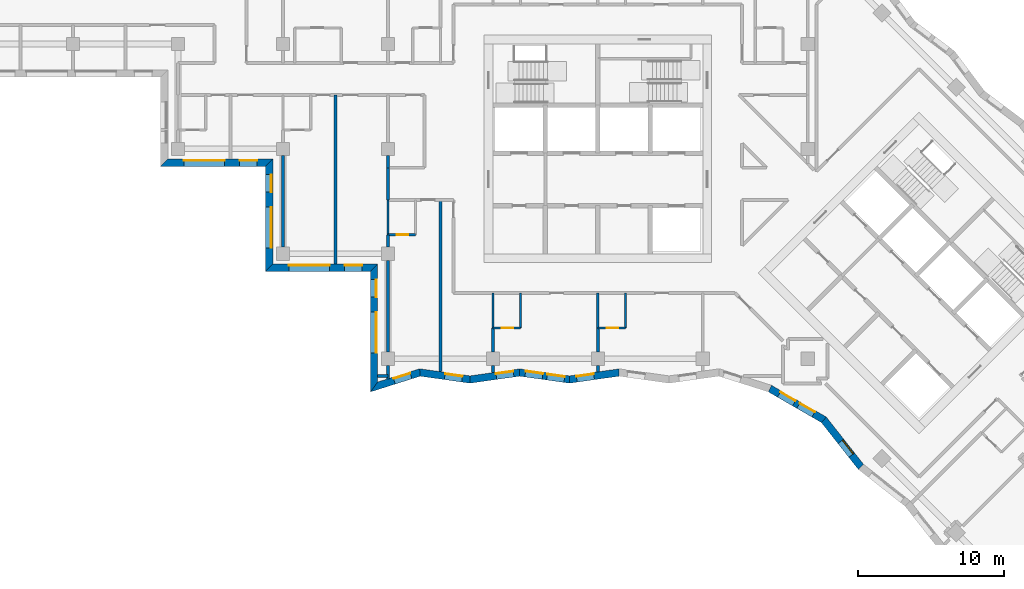
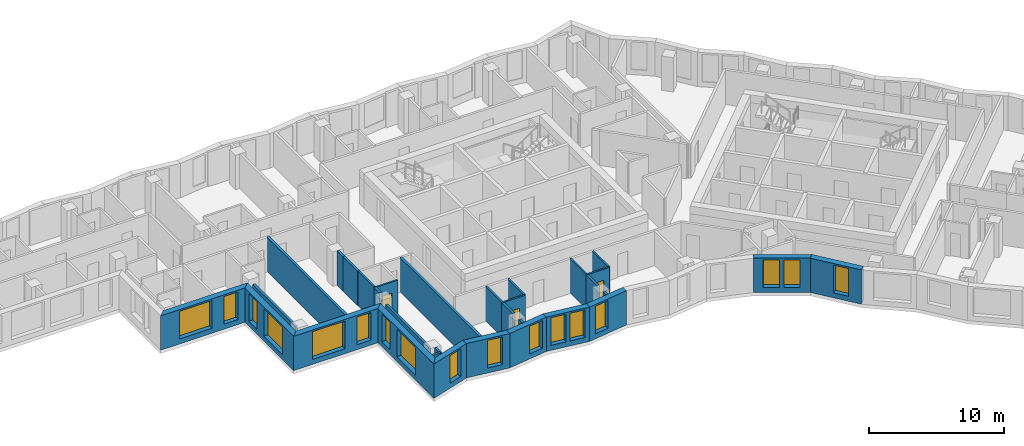
# One storey, part 2 of 12: 32 walls, 17 windows, 3 doors, 20 openings.
"""IFC4 building model written with IfcOpenShell, lengths in metres."""

from ifc_helpers import new_model, si_unit, direction, frame, frame_2d, origin, place, context, subcontext, project, spatial, polyline, rectangle, outline, extrude, material, layer, layer_set, type_object, element, fill, save


model = new_model("IFC4")

# Units and contexts
model_context = context("Model", 3, precision=1e-05, world=origin(), true_north=direction((0.0, 1.0)))
body_context = subcontext(model_context, "Body", "Model", "MODEL_VIEW")
ifc_project = project(units=[si_unit("LENGTHUNIT", "METRE"), si_unit("AREAUNIT", "SQUARE_METRE"), si_unit("VOLUMEUNIT", "CUBIC_METRE"), si_unit("PLANEANGLEUNIT", "RADIAN"), si_unit("MASSUNIT", "GRAM", prefix="KILO")], contexts=[model_context])

# Site, building, storey
site_placement = place(None, origin())
site = spatial("IfcSite", under=ifc_project, at=site_placement, CompositionType="ELEMENT")
building_placement = place(site_placement, origin())
building = spatial("IfcBuilding", under=site, at=building_placement, Name="Windrow Commons", CompositionType="ELEMENT")
storey_placement = place(building_placement, frame((0.0, 0.0, 155.8)))
storey = spatial("IfcBuildingStorey", under=building, at=storey_placement, Name="L42", CompositionType="ELEMENT", Elevation=155.8)

# Wall, openings, windows
ifc_material_1 = material(Name="Brick masonry, red clay brick", Category="masonry")
ifc_layer_1 = layer(ifc_material_1, 0.5)
ifc_layer_set_1 = layer_set([ifc_layer_1], Name="Brick facade wall 500")
wall_type_1 = type_object("IfcWallType", Name="Brick facade wall 500", PredefinedType="SOLIDWALL", material=ifc_layer_set_1)
wall_1_placement = place(storey_placement, frame((35.05, 56.65, 0.0), z_axis=(0.0, 0.0, 1.0), x_axis=(1.0, 0.0, 0.0)))
wall_1 = element("IfcWall", 1, at=wall_1_placement, inside=storey, type_object=wall_type_1, Name="Brick facade wall L42 38", PredefinedType="SOLIDWALL", context=body_context, shape_type="SweptSolid", body=[
    extrude(outline(polyline([(-0.25, -0.25), (6.95, -0.25), (7.45, 0.25), (0.25, 0.25), (-0.25, -0.25)])), origin(), (0.0, 0.0, 1.0), 3.1),
])
opening_1_placement = place(wall_1_placement, frame((1.35, 0.0, 0.45)))
opening_1 = element("IfcOpeningElement", 2, at=opening_1_placement, cuts=wall_1, Name="Opening W1U", PredefinedType="OPENING", context=body_context, shape_type="SweptSolid", body=[
    extrude(rectangle(XDim=2.8, YDim=2.5, at=frame_2d((1.4, 1.25))), frame((0.0, 0.26, 0.0), z_axis=(0.0, -1.0, 0.0), x_axis=(1.0, 0.0, 0.0)), (0.0, 0.0, 1.0), 0.52),
])
opening_2_placement = place(wall_1_placement, frame((5.175, 0.0, 0.45)))
opening_2 = element("IfcOpeningElement", 3, at=opening_2_placement, cuts=wall_1, Name="Opening W7E", PredefinedType="OPENING", context=body_context, shape_type="SweptSolid", body=[
    extrude(rectangle(XDim=1.2, YDim=2.5, at=frame_2d((0.6, 1.25))), frame((0.0, 0.26, 0.0), z_axis=(0.0, -1.0, 0.0), x_axis=(1.0, 0.0, 0.0)), (0.0, 0.0, 1.0), 0.52),
])
ifc_material_2 = material(Name="Clear float glass in anodised aluminium frame", Category="aluminium")
window_type_1 = type_object("IfcWindowType", Name="Window W1U bedroom 2800x2500", PartitioningType="SINGLE_PANEL", PredefinedType="WINDOW", material=ifc_material_2)
window_1_placement = place(opening_1_placement, origin())
window_1 = element("IfcWindow", 4, at=window_1_placement, inside=storey, type_object=window_type_1, Name="Window L42 38.1", OverallHeight=2.5, OverallWidth=2.8, PartitioningType="SINGLE_PANEL", PredefinedType="WINDOW", context=body_context, shape_type="SweptSolid", body=[
    extrude(rectangle(XDim=2.8, YDim=2.5, at=frame_2d((1.4, 1.25))), frame((0.0, 0.18, 0.0), z_axis=(0.0, -1.0, 0.0), x_axis=(1.0, 0.0, 0.0)), (0.0, 0.0, 1.0), 0.06),
])
fill(opening_1, window_1)
ifc_material_3 = material(Name="Clear float glass in anodised aluminium frame", Category="aluminium")
window_type_2 = type_object("IfcWindowType", Name="Window W7 notch 1200x2500", PartitioningType="SINGLE_PANEL", PredefinedType="WINDOW", material=ifc_material_3)
window_2_placement = place(opening_2_placement, origin())
window_2 = element("IfcWindow", 5, at=window_2_placement, inside=storey, type_object=window_type_2, Name="Window L42 38.2", OverallHeight=2.5, OverallWidth=1.2, PartitioningType="SINGLE_PANEL", PredefinedType="WINDOW", context=body_context, shape_type="SweptSolid", body=[
    extrude(rectangle(XDim=1.2, YDim=2.5, at=frame_2d((0.6, 1.25))), frame((0.0, 0.18, 0.0), z_axis=(0.0, -1.0, 0.0), x_axis=(1.0, 0.0, 0.0)), (0.0, 0.0, 1.0), 0.06),
])
fill(opening_2, window_2)

wall_2_placement = place(storey_placement, frame((42.25, 56.65, 0.0), z_axis=(0.0, 0.0, 1.0), x_axis=(0.0, -1.0, 0.0)))
wall_2 = element("IfcWall", 6, at=wall_2_placement, inside=storey, type_object=wall_type_1, Name="Brick facade wall L42 39", PredefinedType="SOLIDWALL", context=body_context, shape_type="SweptSolid", body=[
    extrude(outline(polyline([(0.25, -0.25), (7.45, -0.25), (6.95, 0.25), (-0.25, 0.25), (0.25, -0.25)])), origin(), (0.0, 0.0, 1.0), 3.1),
])
opening_3_placement = place(wall_2_placement, frame((3.05, 0.0, 0.45)))
opening_3 = element("IfcOpeningElement", 7, at=opening_3_placement, cuts=wall_2, Name="Opening W1U", PredefinedType="OPENING", context=body_context, shape_type="SweptSolid", body=[
    extrude(rectangle(XDim=2.8, YDim=2.5, at=frame_2d((1.4, 1.25))), frame((0.0, 0.26, 0.0), z_axis=(0.0, -1.0, 0.0), x_axis=(1.0, 0.0, 0.0)), (0.0, 0.0, 1.0), 0.52),
])
opening_4_placement = place(wall_2_placement, frame((0.825, 0.0, 0.45)))
opening_4 = element("IfcOpeningElement", 8, at=opening_4_placement, cuts=wall_2, Name="Opening W7E", PredefinedType="OPENING", context=body_context, shape_type="SweptSolid", body=[
    extrude(rectangle(XDim=1.2, YDim=2.5, at=frame_2d((0.6, 1.25))), frame((0.0, 0.26, 0.0), z_axis=(0.0, -1.0, 0.0), x_axis=(1.0, 0.0, 0.0)), (0.0, 0.0, 1.0), 0.52),
])
window_3_placement = place(opening_3_placement, origin())
window_3 = element("IfcWindow", 9, at=window_3_placement, inside=storey, type_object=window_type_1, Name="Window L42 39.1", OverallHeight=2.5, OverallWidth=2.8, PartitioningType="SINGLE_PANEL", PredefinedType="WINDOW", context=body_context, shape_type="SweptSolid", body=[
    extrude(rectangle(XDim=2.8, YDim=2.5, at=frame_2d((1.4, 1.25))), frame((0.0, 0.18, 0.0), z_axis=(0.0, -1.0, 0.0), x_axis=(1.0, 0.0, 0.0)), (0.0, 0.0, 1.0), 0.06),
])
fill(opening_3, window_3)
window_4_placement = place(opening_4_placement, origin())
window_4 = element("IfcWindow", 10, at=window_4_placement, inside=storey, type_object=window_type_2, Name="Window L42 39.2", OverallHeight=2.5, OverallWidth=1.2, PartitioningType="SINGLE_PANEL", PredefinedType="WINDOW", context=body_context, shape_type="SweptSolid", body=[
    extrude(rectangle(XDim=1.2, YDim=2.5, at=frame_2d((0.6, 1.25))), frame((0.0, 0.18, 0.0), z_axis=(0.0, -1.0, 0.0), x_axis=(1.0, 0.0, 0.0)), (0.0, 0.0, 1.0), 0.06),
])
fill(opening_4, window_4)

wall_3_placement = place(storey_placement, frame((42.25, 49.45, 0.0), z_axis=(0.0, 0.0, 1.0), x_axis=(1.0, 0.0, 0.0)))
wall_3 = element("IfcWall", 11, at=wall_3_placement, inside=storey, type_object=wall_type_1, Name="Brick facade wall L42 40", PredefinedType="SOLIDWALL", context=body_context, shape_type="SweptSolid", body=[
    extrude(outline(polyline([(-0.25, -0.25), (6.95, -0.25), (7.45, 0.25), (0.25, 0.25), (-0.25, -0.25)])), origin(), (0.0, 0.0, 1.0), 3.1),
])
opening_5_placement = place(wall_3_placement, frame((1.35, 0.0, 0.45)))
opening_5 = element("IfcOpeningElement", 12, at=opening_5_placement, cuts=wall_3, Name="Opening W1U", PredefinedType="OPENING", context=body_context, shape_type="SweptSolid", body=[
    extrude(rectangle(XDim=2.8, YDim=2.5, at=frame_2d((1.4, 1.25))), frame((0.0, 0.26, 0.0), z_axis=(0.0, -1.0, 0.0), x_axis=(1.0, 0.0, 0.0)), (0.0, 0.0, 1.0), 0.52),
])
opening_6_placement = place(wall_3_placement, frame((5.175, 0.0, 0.45)))
opening_6 = element("IfcOpeningElement", 13, at=opening_6_placement, cuts=wall_3, Name="Opening W7E", PredefinedType="OPENING", context=body_context, shape_type="SweptSolid", body=[
    extrude(rectangle(XDim=1.2, YDim=2.5, at=frame_2d((0.6, 1.25))), frame((0.0, 0.26, 0.0), z_axis=(0.0, -1.0, 0.0), x_axis=(1.0, 0.0, 0.0)), (0.0, 0.0, 1.0), 0.52),
])
window_5_placement = place(opening_5_placement, origin())
window_5 = element("IfcWindow", 14, at=window_5_placement, inside=storey, type_object=window_type_1, Name="Window L42 40.1", OverallHeight=2.5, OverallWidth=2.8, PartitioningType="SINGLE_PANEL", PredefinedType="WINDOW", context=body_context, shape_type="SweptSolid", body=[
    extrude(rectangle(XDim=2.8, YDim=2.5, at=frame_2d((1.4, 1.25))), frame((0.0, 0.18, 0.0), z_axis=(0.0, -1.0, 0.0), x_axis=(1.0, 0.0, 0.0)), (0.0, 0.0, 1.0), 0.06),
])
fill(opening_5, window_5)
window_6_placement = place(opening_6_placement, origin())
window_6 = element("IfcWindow", 15, at=window_6_placement, inside=storey, type_object=window_type_2, Name="Window L42 40.2", OverallHeight=2.5, OverallWidth=1.2, PartitioningType="SINGLE_PANEL", PredefinedType="WINDOW", context=body_context, shape_type="SweptSolid", body=[
    extrude(rectangle(XDim=1.2, YDim=2.5, at=frame_2d((0.6, 1.25))), frame((0.0, 0.18, 0.0), z_axis=(0.0, -1.0, 0.0), x_axis=(1.0, 0.0, 0.0)), (0.0, 0.0, 1.0), 0.06),
])
fill(opening_6, window_6)

wall_4_placement = place(storey_placement, frame((49.45, 49.45, 0.0), z_axis=(0.0, 0.0, 1.0), x_axis=(0.0, -1.0, 0.0)))
wall_4 = element("IfcWall", 16, at=wall_4_placement, inside=storey, type_object=wall_type_1, Name="Brick facade wall L42 41", PredefinedType="SOLIDWALL", context=body_context, shape_type="SweptSolid", body=[
    extrude(outline(polyline([(0.25, -0.25), (8.532, -0.25), (7.849, 0.25), (-0.25, 0.25), (0.25, -0.25)])), origin(), (0.0, 0.0, 1.0), 3.1),
])
opening_7_placement = place(wall_4_placement, frame((3.05, 0.0, 0.45)))
opening_7 = element("IfcOpeningElement", 17, at=opening_7_placement, cuts=wall_4, Name="Opening W1U", PredefinedType="OPENING", context=body_context, shape_type="SweptSolid", body=[
    extrude(rectangle(XDim=2.8, YDim=2.5, at=frame_2d((1.4, 1.25))), frame((0.0, 0.26, 0.0), z_axis=(0.0, -1.0, 0.0), x_axis=(1.0, 0.0, 0.0)), (0.0, 0.0, 1.0), 0.52),
])
opening_8_placement = place(wall_4_placement, frame((0.825, 0.0, 0.45)))
opening_8 = element("IfcOpeningElement", 18, at=opening_8_placement, cuts=wall_4, Name="Opening W7E", PredefinedType="OPENING", context=body_context, shape_type="SweptSolid", body=[
    extrude(rectangle(XDim=1.2, YDim=2.5, at=frame_2d((0.6, 1.25))), frame((0.0, 0.26, 0.0), z_axis=(0.0, -1.0, 0.0), x_axis=(1.0, 0.0, 0.0)), (0.0, 0.0, 1.0), 0.52),
])
window_7_placement = place(opening_7_placement, origin())
window_7 = element("IfcWindow", 19, at=window_7_placement, inside=storey, type_object=window_type_1, Name="Window L42 41.1", OverallHeight=2.5, OverallWidth=2.8, PartitioningType="SINGLE_PANEL", PredefinedType="WINDOW", context=body_context, shape_type="SweptSolid", body=[
    extrude(rectangle(XDim=2.8, YDim=2.5, at=frame_2d((1.4, 1.25))), frame((0.0, 0.18, 0.0), z_axis=(0.0, -1.0, 0.0), x_axis=(1.0, 0.0, 0.0)), (0.0, 0.0, 1.0), 0.06),
])
fill(opening_7, window_7)
window_8_placement = place(opening_8_placement, origin())
window_8 = element("IfcWindow", 20, at=window_8_placement, inside=storey, type_object=window_type_2, Name="Window L42 41.2", OverallHeight=2.5, OverallWidth=1.2, PartitioningType="SINGLE_PANEL", PredefinedType="WINDOW", context=body_context, shape_type="SweptSolid", body=[
    extrude(rectangle(XDim=1.2, YDim=2.5, at=frame_2d((0.6, 1.25))), frame((0.0, 0.18, 0.0), z_axis=(0.0, -1.0, 0.0), x_axis=(1.0, 0.0, 0.0)), (0.0, 0.0, 1.0), 0.06),
])
fill(opening_8, window_8)

# Wall, opening, window
wall_5_placement = place(storey_placement, frame((49.45, 41.2595, 0.0), z_axis=(0.0, 0.0, 1.0), x_axis=(0.9532547248, 0.3021678832, 0.0)))
wall_5 = element("IfcWall", 21, at=wall_5_placement, inside=storey, type_object=wall_type_1, Name="Brick facade wall L42 42", PredefinedType="SOLIDWALL", context=body_context, shape_type="SweptSolid", body=[
    extrude(outline(polyline([(-0.3415, -0.25), (3.2393, -0.25), (3.3531, 0.25), (0.3415, 0.25), (-0.3415, -0.25)])), origin(), (0.0, 0.0, 1.0), 3.1),
])
opening_9_placement = place(wall_5_placement, frame((1.4464, 0.0, 0.45)))
opening_9 = element("IfcOpeningElement", 22, at=opening_9_placement, cuts=wall_5, Name="Opening W7E", PredefinedType="OPENING", context=body_context, shape_type="SweptSolid", body=[
    extrude(rectangle(XDim=1.2, YDim=2.5, at=frame_2d((0.6, 1.25))), frame((0.0, 0.26, 0.0), z_axis=(0.0, -1.0, 0.0), x_axis=(1.0, 0.0, 0.0)), (0.0, 0.0, 1.0), 0.52),
])
window_9_placement = place(opening_9_placement, origin())
window_9 = element("IfcWindow", 23, at=window_9_placement, inside=storey, type_object=window_type_2, Name="Window L42 42.1", OverallHeight=2.5, OverallWidth=1.2, PartitioningType="SINGLE_PANEL", PredefinedType="WINDOW", context=body_context, shape_type="SweptSolid", body=[
    extrude(rectangle(XDim=1.2, YDim=2.5, at=frame_2d((0.6, 1.25))), frame((0.0, 0.18, 0.0), z_axis=(0.0, -1.0, 0.0), x_axis=(1.0, 0.0, 0.0)), (0.0, 0.0, 1.0), 0.06),
])
fill(opening_9, window_9)

wall_6_placement = place(storey_placement, frame((52.5921, 42.2555, 0.0), z_axis=(0.0, 0.0, 1.0), x_axis=(0.9901776599, -0.1398148844, 0.0)))
wall_6 = element("IfcWall", 24, at=wall_6_placement, inside=storey, type_object=wall_type_1, Name="Brick facade wall L42 43", PredefinedType="SOLIDWALL", context=body_context, shape_type="SweptSolid", body=[
    extrude(outline(polyline([(0.0569, -0.25), (3.5042, -0.25), (3.4336, 0.25), (-0.0569, 0.25), (0.0569, -0.25)])), origin(), (0.0, 0.0, 1.0), 3.1),
])
opening_10_placement = place(wall_6_placement, frame((1.7277, 0.0, 0.45)))
opening_10 = element("IfcOpeningElement", 25, at=opening_10_placement, cuts=wall_6, Name="Opening W7E", PredefinedType="OPENING", context=body_context, shape_type="SweptSolid", body=[
    extrude(rectangle(XDim=1.2, YDim=2.5, at=frame_2d((0.6, 1.25))), frame((0.0, 0.26, 0.0), z_axis=(0.0, -1.0, 0.0), x_axis=(1.0, 0.0, 0.0)), (0.0, 0.0, 1.0), 0.52),
])
window_10_placement = place(opening_10_placement, origin())
window_10 = element("IfcWindow", 26, at=window_10_placement, inside=storey, type_object=window_type_2, Name="Window L42 43.1", OverallHeight=2.5, OverallWidth=1.2, PartitioningType="SINGLE_PANEL", PredefinedType="WINDOW", context=body_context, shape_type="SweptSolid", body=[
    extrude(rectangle(XDim=1.2, YDim=2.5, at=frame_2d((0.6, 1.25))), frame((0.0, 0.18, 0.0), z_axis=(0.0, -1.0, 0.0), x_axis=(1.0, 0.0, 0.0)), (0.0, 0.0, 1.0), 0.06),
])
fill(opening_10, window_10)

wall_7_placement = place(storey_placement, frame((56.0269, 41.7705, 0.0), z_axis=(0.0, 0.0, 1.0), x_axis=(0.9901773547, 0.1398170455, 0.0)))
wall_7 = element("IfcWall", 27, at=wall_7_placement, inside=storey, type_object=wall_type_1, Name="Brick facade wall L42 44", PredefinedType="SOLIDWALL", context=body_context, shape_type="SweptSolid", body=[
    extrude(outline(polyline([(-0.0353, -0.25), (3.412, -0.25), (3.4826, 0.25), (0.0353, 0.25), (-0.0353, -0.25)])), origin(), (0.0, 0.0, 1.0), 3.1),
])
opening_11_placement = place(wall_7_placement, frame((1.818, 0.0, 0.45)))
opening_11 = element("IfcOpeningElement", 28, at=opening_11_placement, cuts=wall_7, Name="Opening W7E", PredefinedType="OPENING", context=body_context, shape_type="SweptSolid", body=[
    extrude(rectangle(XDim=1.2, YDim=2.5, at=frame_2d((0.6, 1.25))), frame((0.0, 0.26, 0.0), z_axis=(0.0, -1.0, 0.0), x_axis=(1.0, 0.0, 0.0)), (0.0, 0.0, 1.0), 0.52),
])
window_11_placement = place(opening_11_placement, origin())
window_11 = element("IfcWindow", 29, at=window_11_placement, inside=storey, type_object=window_type_2, Name="Window L42 44.1", OverallHeight=2.5, OverallWidth=1.2, PartitioningType="SINGLE_PANEL", PredefinedType="WINDOW", context=body_context, shape_type="SweptSolid", body=[
    extrude(rectangle(XDim=1.2, YDim=2.5, at=frame_2d((0.6, 1.25))), frame((0.0, 0.18, 0.0), z_axis=(0.0, -1.0, 0.0), x_axis=(1.0, 0.0, 0.0)), (0.0, 0.0, 1.0), 0.06),
])
fill(opening_11, window_11)

# Wall, openings, windows
wall_8_placement = place(storey_placement, frame((59.4404, 42.2525, 0.0), z_axis=(0.0, 0.0, 1.0), x_axis=(0.9901773547, -0.1398170455, 0.0)))
wall_8 = element("IfcWall", 30, at=wall_8_placement, inside=storey, type_object=wall_type_1, Name="Brick facade wall L42 45", PredefinedType="SOLIDWALL", context=body_context, shape_type="SweptSolid", body=[
    extrude(outline(polyline([(0.0353, -0.25), (3.4826, -0.25), (3.412, 0.25), (-0.0353, 0.25), (0.0353, -0.25)])), origin(), (0.0, 0.0, 1.0), 3.1),
])
opening_12_placement = place(wall_8_placement, frame((0.3885, 0.0, 0.45)))
opening_12 = element("IfcOpeningElement", 31, at=opening_12_placement, cuts=wall_8, Name="Opening W7E", PredefinedType="OPENING", context=body_context, shape_type="SweptSolid", body=[
    extrude(rectangle(XDim=1.2, YDim=2.5, at=frame_2d((0.6, 1.25))), frame((0.0, 0.26, 0.0), z_axis=(0.0, -1.0, 0.0), x_axis=(1.0, 0.0, 0.0)), (0.0, 0.0, 1.0), 0.52),
])
opening_13_placement = place(wall_8_placement, frame((1.8945, 0.0, 0.45)))
opening_13 = element("IfcOpeningElement", 32, at=opening_13_placement, cuts=wall_8, Name="Opening W7E", PredefinedType="OPENING", context=body_context, shape_type="SweptSolid", body=[
    extrude(rectangle(XDim=1.2, YDim=2.5, at=frame_2d((0.6, 1.25))), frame((0.0, 0.26, 0.0), z_axis=(0.0, -1.0, 0.0), x_axis=(1.0, 0.0, 0.0)), (0.0, 0.0, 1.0), 0.52),
])
window_12_placement = place(opening_12_placement, origin())
window_12 = element("IfcWindow", 33, at=window_12_placement, inside=storey, type_object=window_type_2, Name="Window L42 45.1", OverallHeight=2.5, OverallWidth=1.2, PartitioningType="SINGLE_PANEL", PredefinedType="WINDOW", context=body_context, shape_type="SweptSolid", body=[
    extrude(rectangle(XDim=1.2, YDim=2.5, at=frame_2d((0.6, 1.25))), frame((0.0, 0.18, 0.0), z_axis=(0.0, -1.0, 0.0), x_axis=(1.0, 0.0, 0.0)), (0.0, 0.0, 1.0), 0.06),
])
fill(opening_12, window_12)
window_13_placement = place(opening_13_placement, origin())
window_13 = element("IfcWindow", 34, at=window_13_placement, inside=storey, type_object=window_type_2, Name="Window L42 45.2", OverallHeight=2.5, OverallWidth=1.2, PartitioningType="SINGLE_PANEL", PredefinedType="WINDOW", context=body_context, shape_type="SweptSolid", body=[
    extrude(rectangle(XDim=1.2, YDim=2.5, at=frame_2d((0.6, 1.25))), frame((0.0, 0.18, 0.0), z_axis=(0.0, -1.0, 0.0), x_axis=(1.0, 0.0, 0.0)), (0.0, 0.0, 1.0), 0.06),
])
fill(opening_13, window_13)

# Wall, opening, window
wall_9_placement = place(storey_placement, frame((62.8539, 41.7705, 0.0), z_axis=(0.0, 0.0, 1.0), x_axis=(0.9901767876, 0.1398210616, 0.0)))
wall_9 = element("IfcWall", 35, at=wall_9_placement, inside=storey, type_object=wall_type_1, Name="Brick facade wall L42 46", PredefinedType="SOLIDWALL", context=body_context, shape_type="SweptSolid", body=[
    extrude(outline(polyline([(-0.0353, -0.25), (3.412, -0.25), (3.4826, 0.25), (0.0353, 0.25), (-0.0353, -0.25)])), origin(), (0.0, 0.0, 1.0), 3.1),
])
opening_14_placement = place(wall_9_placement, frame((0.5004, 0.0, 0.45)))
opening_14 = element("IfcOpeningElement", 36, at=opening_14_placement, cuts=wall_9, Name="Opening W7E", PredefinedType="OPENING", context=body_context, shape_type="SweptSolid", body=[
    extrude(rectangle(XDim=1.2, YDim=2.5, at=frame_2d((0.6, 1.25))), frame((0.0, 0.26, 0.0), z_axis=(0.0, -1.0, 0.0), x_axis=(1.0, 0.0, 0.0)), (0.0, 0.0, 1.0), 0.52),
])
window_14_placement = place(opening_14_placement, origin())
window_14 = element("IfcWindow", 37, at=window_14_placement, inside=storey, type_object=window_type_2, Name="Window L42 46.1", OverallHeight=2.5, OverallWidth=1.2, PartitioningType="SINGLE_PANEL", PredefinedType="WINDOW", context=body_context, shape_type="SweptSolid", body=[
    extrude(rectangle(XDim=1.2, YDim=2.5, at=frame_2d((0.6, 1.25))), frame((0.0, 0.18, 0.0), z_axis=(0.0, -1.0, 0.0), x_axis=(1.0, 0.0, 0.0)), (0.0, 0.0, 1.0), 0.06),
])
fill(opening_14, window_14)

# Wall, openings, windows
wall_10_placement = place(storey_placement, frame((76.6093, 41.1481, 0.0), z_axis=(0.0, 0.0, 1.0), x_axis=(0.8655245779, -0.5008664544, 0.0)))
wall_10 = element("IfcWall", 38, at=wall_10_placement, inside=storey, type_object=wall_type_1, Name="Brick facade wall L42 50", PredefinedType="SOLIDWALL", context=body_context, shape_type="SweptSolid", body=[
    extrude(outline(polyline([(0.0273, -0.25), (4.2235, -0.25), (4.3194, 0.25), (-0.0273, 0.25), (0.0273, -0.25)])), origin(), (0.0, 0.0, 1.0), 3.1),
])
opening_15_placement = place(wall_10_placement, frame((0.7364, 0.0, 0.45)))
opening_15 = element("IfcOpeningElement", 39, at=opening_15_placement, cuts=wall_10, Name="Opening W7E", PredefinedType="OPENING", context=body_context, shape_type="SweptSolid", body=[
    extrude(rectangle(XDim=1.2, YDim=2.5, at=frame_2d((0.6, 1.25))), frame((0.0, 0.26, 0.0), z_axis=(0.0, -1.0, 0.0), x_axis=(1.0, 0.0, 0.0)), (0.0, 0.0, 1.0), 0.52),
])
opening_16_placement = place(wall_10_placement, frame((2.2721, 0.0, 0.45)))
opening_16 = element("IfcOpeningElement", 40, at=opening_16_placement, cuts=wall_10, Name="Opening W7E", PredefinedType="OPENING", context=body_context, shape_type="SweptSolid", body=[
    extrude(rectangle(XDim=1.2, YDim=2.5, at=frame_2d((0.6, 1.25))), frame((0.0, 0.26, 0.0), z_axis=(0.0, -1.0, 0.0), x_axis=(1.0, 0.0, 0.0)), (0.0, 0.0, 1.0), 0.52),
])
window_15_placement = place(opening_15_placement, origin())
window_15 = element("IfcWindow", 41, at=window_15_placement, inside=storey, type_object=window_type_2, Name="Window L42 50.1", OverallHeight=2.5, OverallWidth=1.2, PartitioningType="SINGLE_PANEL", PredefinedType="WINDOW", context=body_context, shape_type="SweptSolid", body=[
    extrude(rectangle(XDim=1.2, YDim=2.5, at=frame_2d((0.6, 1.25))), frame((0.0, 0.18, 0.0), z_axis=(0.0, -1.0, 0.0), x_axis=(1.0, 0.0, 0.0)), (0.0, 0.0, 1.0), 0.06),
])
fill(opening_15, window_15)
window_16_placement = place(opening_16_placement, origin())
window_16 = element("IfcWindow", 42, at=window_16_placement, inside=storey, type_object=window_type_2, Name="Window L42 50.2", OverallHeight=2.5, OverallWidth=1.2, PartitioningType="SINGLE_PANEL", PredefinedType="WINDOW", context=body_context, shape_type="SweptSolid", body=[
    extrude(rectangle(XDim=1.2, YDim=2.5, at=frame_2d((0.6, 1.25))), frame((0.0, 0.18, 0.0), z_axis=(0.0, -1.0, 0.0), x_axis=(1.0, 0.0, 0.0)), (0.0, 0.0, 1.0), 0.06),
])
fill(opening_16, window_16)

# Wall, opening, window
wall_11_placement = place(storey_placement, frame((80.3063, 39.0087, 0.0), z_axis=(0.0, 0.0, 1.0), x_axis=(0.6186848353, -0.7856392777, 0.0)))
wall_11 = element("IfcWall", 43, at=wall_11_placement, inside=storey, type_object=wall_type_1, Name="Brick facade wall L42 51", PredefinedType="SOLIDWALL", context=body_context, shape_type="SweptSolid", body=[
    extrude(outline(polyline([(0.048, -0.25), (4.1308, -0.25), (4.0713, 0.25), (-0.048, 0.25), (0.048, -0.25)])), origin(), (0.0, 0.0, 1.0), 3.1),
])
opening_17_placement = place(wall_11_placement, frame((1.8842, 0.0, 0.45)))
opening_17 = element("IfcOpeningElement", 44, at=opening_17_placement, cuts=wall_11, Name="Opening W7E", PredefinedType="OPENING", context=body_context, shape_type="SweptSolid", body=[
    extrude(rectangle(XDim=1.2, YDim=2.5, at=frame_2d((0.6, 1.25))), frame((0.0, 0.26, 0.0), z_axis=(0.0, -1.0, 0.0), x_axis=(1.0, 0.0, 0.0)), (0.0, 0.0, 1.0), 0.52),
])
window_17_placement = place(opening_17_placement, origin())
window_17 = element("IfcWindow", 45, at=window_17_placement, inside=storey, type_object=window_type_2, Name="Window L42 51.1", OverallHeight=2.5, OverallWidth=1.2, PartitioningType="SINGLE_PANEL", PredefinedType="WINDOW", context=body_context, shape_type="SweptSolid", body=[
    extrude(rectangle(XDim=1.2, YDim=2.5, at=frame_2d((0.6, 1.25))), frame((0.0, 0.18, 0.0), z_axis=(0.0, -1.0, 0.0), x_axis=(1.0, 0.0, 0.0)), (0.0, 0.0, 1.0), 0.06),
])
fill(opening_17, window_17)

# Walls
ifc_material_4 = material(Name="Blockwork partition", Category="masonry")
ifc_layer_2 = layer(ifc_material_4, 0.2)
ifc_layer_set_2 = layer_set([ifc_layer_2], Name="IW-CORRIDOR-200")
wall_type_2 = type_object("IfcWallType", Name="IW-CORRIDOR-200", PredefinedType="PARTITIONING", material=ifc_layer_set_2)
wall_12_placement = place(storey_placement, frame((50.4, 54.1, 0.0), z_axis=(0.0, 0.0, 1.0), x_axis=(0.0, 1.0, 0.0)))
element("IfcWall", 46, at=wall_12_placement, inside=storey, type_object=wall_type_2, Name="W-L42-W108", PredefinedType="PARTITIONING", context=body_context, shape_type="SweptSolid", body=[
    extrude(rectangle(XDim=2.2, YDim=0.2, at=frame_2d((1.1, 0.0))), origin(), (0.0, 0.0, 1.0), 3.1),
])
ifc_material_5 = material(Name="Blockwork partition", Category="masonry")
ifc_layer_3 = layer(ifc_material_5, 0.15)
ifc_layer_set_3 = layer_set([ifc_layer_3], Name="IW-ENSUITE-150")
wall_type_3 = type_object("IfcWallType", Name="IW-ENSUITE-150", PredefinedType="PARTITIONING", material=ifc_layer_set_3)
for number, where, z_axis, x_axis, name in (
    (47, (59.5, 45.3, 0.0), (0.0, 0.0, 1.0), (0.0, 1.0, 0.0), "W-L42-W081"),
    (48, (57.6, 45.3, 0.0), (0.0, 0.0, 1.0), (0.0, 1.0, 0.0), "W-L42-W083"),
    (49, (66.7, 45.3, 0.0), (0.0, 0.0, 1.0), (0.0, 1.0, 0.0), "W-L42-W085"),
    (50, (64.8, 45.3, 0.0), (0.0, 0.0, 1.0), (0.0, 1.0, 0.0), "W-L42-W087"),
    (51, (50.4, 51.7, 0.0), (0.0, 0.0, 1.0), (0.0, 1.0, 0.0), "W-L42-W096"),
):
    element("IfcWall", number, at=place(storey_placement, frame(where, z_axis=z_axis, x_axis=x_axis)), inside=storey, type_object=wall_type_3, Name=name, PredefinedType="PARTITIONING", context=body_context, shape_type="SweptSolid", body=[
        extrude(rectangle(XDim=2.4, YDim=0.15, at=frame_2d((1.2, 0.0))), origin(), (0.0, 0.0, 1.0), 3.1),
    ])

# Wall, opening, door
wall_13_placement = place(storey_placement, frame((64.8, 45.3, 0.0), z_axis=(0.0, 0.0, 1.0), x_axis=(1.0, 0.0, 0.0)))
wall_13 = element("IfcWall", 52, at=wall_13_placement, inside=storey, type_object=wall_type_3, Name="W-L42-W115", PredefinedType="PARTITIONING", context=body_context, shape_type="SweptSolid", body=[
    extrude(rectangle(XDim=1.9, YDim=0.15, at=frame_2d((0.95, 0.0))), origin(), (0.0, 0.0, 1.0), 3.1),
])
opening_18_placement = place(wall_13_placement, frame((0.6069, 0.0, 0.0)))
opening_18 = element("IfcOpeningElement", 53, at=opening_18_placement, cuts=wall_13, Name="Opening D208N", PredefinedType="OPENING", context=body_context, shape_type="SweptSolid", body=[
    extrude(rectangle(XDim=0.8, YDim=2.1, at=frame_2d((0.4, 1.05))), frame((0.0, 0.085, 0.0), z_axis=(0.0, -1.0, 0.0), x_axis=(1.0, 0.0, 0.0)), (0.0, 0.0, 1.0), 0.17),
])
ifc_material_6 = material(Name="Timber door leaf", Category="wood")
door_type = type_object("IfcDoorType", Name="DT-ENSUITE-800", OperationType="SINGLE_SWING_LEFT", PredefinedType="DOOR", material=ifc_material_6)
door_1_placement = place(opening_18_placement, origin())
door_1 = element("IfcDoor", 54, at=door_1_placement, inside=storey, type_object=door_type, Name="D-L42-D034", OperationType="SINGLE_SWING_RIGHT", OverallHeight=2.1, OverallWidth=0.8, PredefinedType="DOOR", context=body_context, shape_type="SweptSolid", body=[
    extrude(rectangle(XDim=0.8, YDim=2.1, at=frame_2d((0.4, 1.05))), frame((0.0, 0.025, 0.0), z_axis=(0.0, -1.0, 0.0), x_axis=(1.0, 0.0, 0.0)), (0.0, 0.0, 1.0), 0.05),
])
fill(opening_18, door_1)

wall_14_placement = place(storey_placement, frame((50.4, 51.7, 0.0), z_axis=(0.0, 0.0, 1.0), x_axis=(1.0, 0.0, 0.0)))
wall_14 = element("IfcWall", 55, at=wall_14_placement, inside=storey, type_object=wall_type_3, Name="W-L42-W123", PredefinedType="PARTITIONING", context=body_context, shape_type="SweptSolid", body=[
    extrude(rectangle(XDim=1.9, YDim=0.15, at=frame_2d((0.95, 0.0))), origin(), (0.0, 0.0, 1.0), 3.1),
])
opening_19_placement = place(wall_14_placement, frame((0.6069, 0.0, 0.0)))
opening_19 = element("IfcOpeningElement", 56, at=opening_19_placement, cuts=wall_14, Name="Opening D208N", PredefinedType="OPENING", context=body_context, shape_type="SweptSolid", body=[
    extrude(rectangle(XDim=0.8, YDim=2.1, at=frame_2d((0.4, 1.05))), frame((0.0, 0.085, 0.0), z_axis=(0.0, -1.0, 0.0), x_axis=(1.0, 0.0, 0.0)), (0.0, 0.0, 1.0), 0.17),
])
door_2_placement = place(opening_19_placement, origin())
door_2 = element("IfcDoor", 57, at=door_2_placement, inside=storey, type_object=door_type, Name="D-L42-D027", OperationType="SINGLE_SWING_RIGHT", OverallHeight=2.1, OverallWidth=0.8, PredefinedType="DOOR", context=body_context, shape_type="SweptSolid", body=[
    extrude(rectangle(XDim=0.8, YDim=2.1, at=frame_2d((0.4, 1.05))), frame((0.0, 0.025, 0.0), z_axis=(0.0, -1.0, 0.0), x_axis=(1.0, 0.0, 0.0)), (0.0, 0.0, 1.0), 0.05),
])
fill(opening_19, door_2)

wall_15_placement = place(storey_placement, frame((57.6, 45.3, 0.0), z_axis=(0.0, 0.0, 1.0), x_axis=(1.0, 0.0, 0.0)))
wall_15 = element("IfcWall", 58, at=wall_15_placement, inside=storey, type_object=wall_type_3, Name="W-L42-W124", PredefinedType="PARTITIONING", context=body_context, shape_type="SweptSolid", body=[
    extrude(rectangle(XDim=1.9, YDim=0.15, at=frame_2d((0.95, 0.0))), origin(), (0.0, 0.0, 1.0), 3.1),
])
opening_20_placement = place(wall_15_placement, frame((0.6069, 0.0, 0.0)))
opening_20 = element("IfcOpeningElement", 59, at=opening_20_placement, cuts=wall_15, Name="Opening D208N", PredefinedType="OPENING", context=body_context, shape_type="SweptSolid", body=[
    extrude(rectangle(XDim=0.8, YDim=2.1, at=frame_2d((0.4, 1.05))), frame((0.0, 0.085, 0.0), z_axis=(0.0, -1.0, 0.0), x_axis=(1.0, 0.0, 0.0)), (0.0, 0.0, 1.0), 0.17),
])
door_3_placement = place(opening_20_placement, origin())
door_3 = element("IfcDoor", 60, at=door_3_placement, inside=storey, type_object=door_type, Name="D-L42-D032", OperationType="SINGLE_SWING_RIGHT", OverallHeight=2.1, OverallWidth=0.8, PredefinedType="DOOR", context=body_context, shape_type="SweptSolid", body=[
    extrude(rectangle(XDim=0.8, YDim=2.1, at=frame_2d((0.4, 1.05))), frame((0.0, 0.025, 0.0), z_axis=(0.0, -1.0, 0.0), x_axis=(1.0, 0.0, 0.0)), (0.0, 0.0, 1.0), 0.05),
])
fill(opening_20, door_3)

# Walls
ifc_material_7 = material(Name="Blockwork partition", Category="masonry")
ifc_layer_4 = layer(ifc_material_7, 0.2)
ifc_layer_set_4 = layer_set([ifc_layer_4], Name="IW-PARTY-200")
wall_type_4 = type_object("IfcWallType", Name="IW-PARTY-200", PredefinedType="PARTITIONING", material=ifc_layer_set_4)
wall_16_placement = place(storey_placement, frame((54.0, 42.3092, 0.0), z_axis=(0.0, 0.0, 1.0), x_axis=(0.0, 1.0, 0.0)))
element("IfcWall", 61, at=wall_16_placement, inside=storey, type_object=wall_type_4, Name="W-L42-W008", PredefinedType="PARTITIONING", context=body_context, shape_type="SweptSolid", body=[
    extrude(rectangle(XDim=11.7908, YDim=0.2, at=frame_2d((5.8954, 0.0))), origin(), (0.0, 0.0, 1.0), 3.1),
])
wall_17_placement = place(storey_placement, frame((46.8, 49.7, 0.0), z_axis=(0.0, 0.0, 1.0), x_axis=(0.0, 1.0, 0.0)))
element("IfcWall", 62, at=wall_17_placement, inside=storey, type_object=wall_type_4, Name="W-L42-W010", PredefinedType="PARTITIONING", context=body_context, shape_type="SweptSolid", body=[
    extrude(rectangle(XDim=11.6, YDim=0.2, at=frame_2d((5.8, 0.0))), origin(), (0.0, 0.0, 1.0), 3.1),
])
for number, where, z_axis, x_axis, name in (
    (63, (50.4, 43.65, 0.0), (0.0, 0.0, 1.0), (0.0, 1.0, 0.0), "W-L42-W021"),
    (64, (43.2, 50.85, 0.0), (0.0, 0.0, 1.0), (0.0, 1.0, 0.0), "W-L42-W022"),
):
    element("IfcWall", number, at=place(storey_placement, frame(where, z_axis=z_axis, x_axis=x_axis)), inside=storey, type_object=wall_type_4, Name=name, PredefinedType="PARTITIONING", context=body_context, shape_type="SweptSolid", body=[
        extrude(rectangle(XDim=6.3, YDim=0.2, at=frame_2d((3.15, 0.0))), origin(), (0.0, 0.0, 1.0), 2.6),
    ])
for number, where, z_axis, x_axis, name in (
    (65, (57.6, 43.65, 0.0), (0.0, 0.0, 1.0), (0.0, 1.0, 0.0), "W-L42-W132"),
    (66, (64.8, 43.65, 0.0), (0.0, 0.0, 1.0), (0.0, 1.0, 0.0), "W-L42-W133"),
):
    element("IfcWall", number, at=place(storey_placement, frame(where, z_axis=z_axis, x_axis=x_axis)), inside=storey, type_object=wall_type_4, Name=name, PredefinedType="PARTITIONING", context=body_context, shape_type="SweptSolid", body=[
        extrude(rectangle(XDim=1.65, YDim=0.2, at=frame_2d((0.825, 0.0))), origin(), (0.0, 0.0, 1.0), 3.1),
    ])
for number, where, z_axis, x_axis, name in (
    (67, (50.4, 50.85, 0.0), (0.0, 0.0, 1.0), (0.0, 1.0, 0.0), "W-L42-W141"),
    (68, (50.4, 56.3, 0.0), (0.0, 0.0, 1.0), (0.0, 1.0, 0.0), "W-L42-W142"),
):
    element("IfcWall", number, at=place(storey_placement, frame(where, z_axis=z_axis, x_axis=x_axis)), inside=storey, type_object=wall_type_4, Name=name, PredefinedType="PARTITIONING", context=body_context, shape_type="SweptSolid", body=[
        extrude(rectangle(XDim=0.85, YDim=0.2, at=frame_2d((0.425, 0.0))), origin(), (0.0, 0.0, 1.0), 3.1),
    ])
wall_18_placement = place(storey_placement, frame((50.4, 41.8229, 0.0), z_axis=(0.0, 0.0, 1.0), x_axis=(0.0, 1.0, 0.0)))
element("IfcWall", 69, at=wall_18_placement, inside=storey, type_object=wall_type_4, Name="W-L42-W154", PredefinedType="PARTITIONING", context=body_context, shape_type="SweptSolid", body=[
    extrude(rectangle(XDim=0.9271, YDim=0.2, at=frame_2d((0.4636, 0.0))), origin(), (0.0, 0.0, 1.0), 3.1),
])
wall_19_placement = place(storey_placement, frame((49.7, 42.0, 0.0), z_axis=(0.0, 0.0, 1.0), x_axis=(1.0, 0.0, 0.0)))
element("IfcWall", 70, at=wall_19_placement, inside=storey, type_object=wall_type_4, Name="W-L42-W160", PredefinedType="PARTITIONING", context=body_context, shape_type="SweptSolid", body=[
    extrude(rectangle(XDim=0.7, YDim=0.2, at=frame_2d((0.35, 0.0))), origin(), (0.0, 0.0, 1.0), 3.1),
])
wall_20_placement = place(storey_placement, frame((57.6, 42.2451, 0.0), z_axis=(0.0, 0.0, 1.0), x_axis=(0.0, 1.0, 0.0)))
element("IfcWall", 71, at=wall_20_placement, inside=storey, type_object=wall_type_4, Name="W-L42-W196", PredefinedType="PARTITIONING", context=body_context, shape_type="SweptSolid", body=[
    extrude(rectangle(XDim=0.5049, YDim=0.2, at=frame_2d((0.2525, 0.0))), origin(), (0.0, 0.0, 1.0), 3.1),
])
wall_21_placement = place(storey_placement, frame((64.8, 42.2978, 0.0), z_axis=(0.0, 0.0, 1.0), x_axis=(0.0, 1.0, 0.0)))
element("IfcWall", 72, at=wall_21_placement, inside=storey, type_object=wall_type_4, Name="W-L42-W199", PredefinedType="PARTITIONING", context=body_context, shape_type="SweptSolid", body=[
    extrude(rectangle(XDim=0.4522, YDim=0.2, at=frame_2d((0.2261, 0.0))), origin(), (0.0, 0.0, 1.0), 3.1),
])

save(model, "model.ifc")
